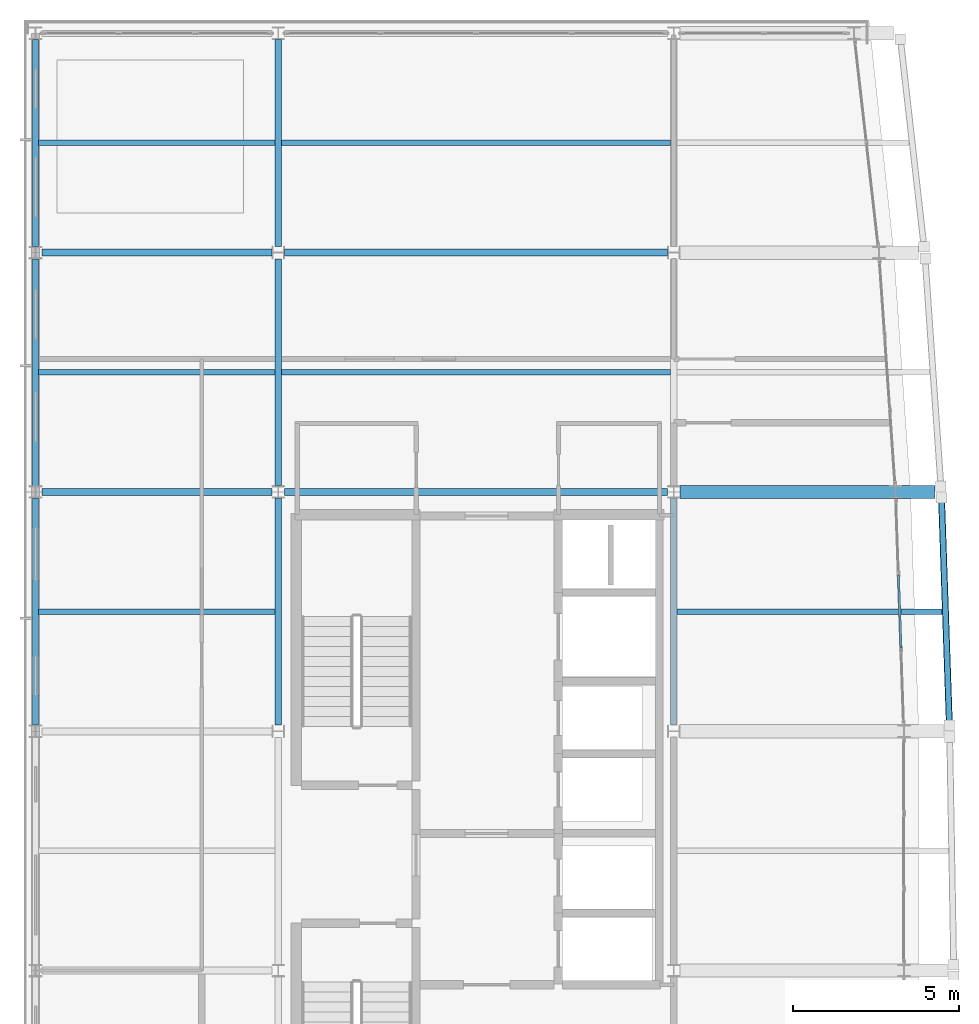
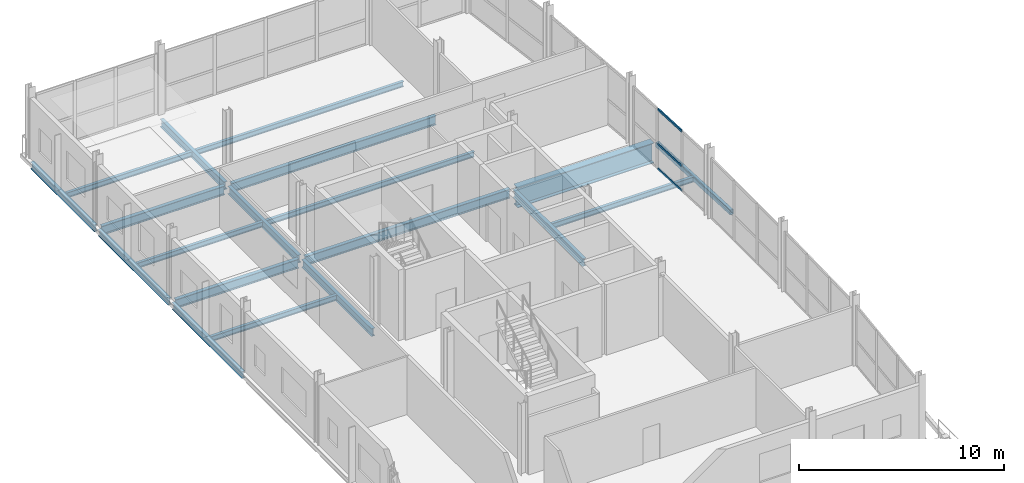
# One storey, part 7 of 19: 19 beams, 3 members, 1 element without a shape of its own.
"""IFC4 building model written with IfcOpenShell, lengths in metres."""

from ifc_helpers import new_model, si_unit, direction, frame, origin, origin_2d, place, context, subcontext, project, spatial, hollow_rectangle, i_section, extrude, material, layer, layer_set, material_profile, profile_set, type_object, element, aggregate, save


model = new_model("IFC4")

# Units and contexts
model_context = context("Model", 3, precision=1e-05, world=origin(), true_north=direction((0.0, 1.0)))
body_context = subcontext(model_context, "Body", "Model", "MODEL_VIEW")
ifc_project = project(units=[si_unit("LENGTHUNIT", "METRE"), si_unit("AREAUNIT", "SQUARE_METRE"), si_unit("VOLUMEUNIT", "CUBIC_METRE"), si_unit("PLANEANGLEUNIT", "RADIAN"), si_unit("MASSUNIT", "GRAM", prefix="KILO")], contexts=[model_context])

# Site, building, storey
site_placement = place(None, origin())
site = spatial("IfcSite", under=ifc_project, at=site_placement, CompositionType="ELEMENT")
building_placement = place(site_placement, origin())
building = spatial("IfcBuilding", under=site, at=building_placement, Name="Quillay Park Conservatory", CompositionType="ELEMENT")
storey_placement = place(building_placement, frame((0.0, 0.0, 35.10009765625)))
storey = spatial("IfcBuildingStorey", under=building, at=storey_placement, Name="L08", CompositionType="ELEMENT", Elevation=35.10009765625)

# Beams
ifc_material_1 = material(Name="Steel ASTM A992 Grade 50", Category="steel")
ifc_material_profile_1 = material_profile(ifc_material_1, i_section(OverallWidth=0.166015625, OverallDepth=0.31298828125, WebThickness=0.006591796875, FlangeThickness=0.01123046875, FilletRadius=0.010009765625, at=origin_2d()), Name="W310x45")
ifc_profile_set_1 = profile_set([ifc_material_profile_1], Name="Steel ASTM A992 Grade 50")
beam_type_1 = type_object("IfcBeamType", Name="COMPOSITE FLOOR JOIST W310 X45", PredefinedType="JOIST", material=ifc_profile_set_1)
beam_1_placement = place(storey_placement, frame((0.639892578125, 96.0, -0.37158203125), z_axis=(1.0, 0.0, 0.0), x_axis=(0.0, 1.0, 0.0)))
element("IfcBeam", 1, at=beam_1_placement, inside=storey, type_object=beam_type_1, Name="L08 beam BM-J-0636", PredefinedType="JOIST", context=body_context, shape_type="SweptSolid", body=[
    extrude(i_section(OverallWidth=0.166015625, OverallDepth=0.31298828125, WebThickness=0.006591796875, FlangeThickness=0.01123046875, FilletRadius=0.010009765625, at=origin_2d()), origin(), (0.0, 0.0, 1.0), 7.114013671875),
])
beam_2_placement = place(storey_placement, frame((19.845947265625, 96.0, -0.37158203125), z_axis=(1.0, 0.0, 0.0), x_axis=(0.0, 1.0, 0.0)))
element("IfcBeam", 2, at=beam_2_placement, inside=storey, type_object=beam_type_1, Name="L08 beam BM-J-0637", PredefinedType="JOIST", context=body_context, shape_type="SweptSolid", body=[
    extrude(i_section(OverallWidth=0.166015625, OverallDepth=0.31298828125, WebThickness=0.006591796875, FlangeThickness=0.01123046875, FilletRadius=0.010009765625, at=origin_2d()), origin(), (0.0, 0.0, 1.0), 7.97900390625),
])
beam_3_placement = place(storey_placement, frame((0.639892578125, 103.199951171875, -0.37158203125), z_axis=(1.0, 0.0, 0.0), x_axis=(0.0, 1.0, 0.0)))
element("IfcBeam", 3, at=beam_3_placement, inside=storey, type_object=beam_type_1, Name="L08 beam BM-J-0642", PredefinedType="JOIST", context=body_context, shape_type="SweptSolid", body=[
    extrude(i_section(OverallWidth=0.166015625, OverallDepth=0.31298828125, WebThickness=0.006591796875, FlangeThickness=0.01123046875, FilletRadius=0.010009765625, at=origin_2d()), origin(), (0.0, 0.0, 1.0), 7.114013671875),
])
beam_4_placement = place(storey_placement, frame((7.946044921875, 103.199951171875, -0.37158203125), z_axis=(1.0, 0.0, 0.0), x_axis=(0.0, 1.0, 0.0)))
element("IfcBeam", 4, at=beam_4_placement, inside=storey, type_object=beam_type_1, Name="L08 beam BM-J-0644", PredefinedType="JOIST", context=body_context, shape_type="SweptSolid", body=[
    extrude(i_section(OverallWidth=0.166015625, OverallDepth=0.31298828125, WebThickness=0.006591796875, FlangeThickness=0.01123046875, FilletRadius=0.010009765625, at=origin_2d()), origin(), (0.0, 0.0, 1.0), 11.7080078125),
])
beam_5_placement = place(storey_placement, frame((0.639892578125, 110.10009765625, -0.37158203125), z_axis=(1.0, 0.0, 0.0), x_axis=(0.0, 1.0, 0.0)))
element("IfcBeam", 5, at=beam_5_placement, inside=storey, type_object=beam_type_1, Name="L08 beam BM-J-0649", PredefinedType="JOIST", context=body_context, shape_type="SweptSolid", body=[
    extrude(i_section(OverallWidth=0.166015625, OverallDepth=0.31298828125, WebThickness=0.006591796875, FlangeThickness=0.01123046875, FilletRadius=0.010009765625, at=origin_2d()), origin(), (0.0, 0.0, 1.0), 7.114013671875),
])
beam_6_placement = place(storey_placement, frame((7.946044921875, 110.10009765625, -0.37158203125), z_axis=(1.0, 0.0, 0.0), x_axis=(0.0, 1.0, 0.0)))
element("IfcBeam", 6, at=beam_6_placement, inside=storey, type_object=beam_type_1, Name="L08 beam BM-J-0651", PredefinedType="JOIST", context=body_context, shape_type="SweptSolid", body=[
    extrude(i_section(OverallWidth=0.166015625, OverallDepth=0.31298828125, WebThickness=0.006591796875, FlangeThickness=0.01123046875, FilletRadius=0.010009765625, at=origin_2d()), origin(), (0.0, 0.0, 1.0), 11.7080078125),
])

# Curtain wall, members
ifc_material_2 = material(Name="Thermally Broken Anodised Aluminium 6063-T6", Category="aluminium")
ifc_layer = layer(ifc_material_2, 0.179931640625)
ifc_layer_set = layer_set([ifc_layer], Name="UNITISED CURTAIN WALL TOWER (Thermally Broken Anodised Aluminium 6063-T6)")
curtain_wall_type = type_object("IfcCurtainWallType", Name="UNITISED CURTAIN WALL TOWER", PredefinedType="USERDEFINED", material=ifc_layer_set)
curtain_wall_placement = place(storey_placement, origin())
curtain_wall = element("IfcCurtainWall", 7, at=curtain_wall_placement, inside=storey, type_object=curtain_wall_type, Name="L08 Unitised Curtain Wall 081", ObjectType="UNITISED CURTAIN WALL", PredefinedType="USERDEFINED")
ifc_material_3 = material(Name="Thermally Broken Anodised Aluminium 6063-T6", Category="aluminium")
ifc_material_profile_2 = material_profile(ifc_material_3, hollow_rectangle(XDim=0.070068359375, YDim=0.1298828125, WallThickness=0.003173828125, at=origin_2d()), Name="AL70x130x3.2")
ifc_profile_set_2 = profile_set([ifc_material_profile_2], Name="Thermally Broken Anodised Aluminium 6063-T6")
member_type = type_object("IfcMemberType", Name="CURTAIN WALL TRANSOM 70 X130", PredefinedType="USERDEFINED", material=ifc_profile_set_2)
member_1_placement = place(storey_placement, frame((26.511962890625, 97.098388671875, 0.034912109375), z_axis=(0.034653546152, -0.999399385501, 0.0), x_axis=(0.999399385501, 0.034653546152, 0.0)))
member_1 = element("IfcMember", 8, at=member_1_placement, type_object=member_type, Name="CW-T1 transom 2.1", ObjectType="TRANSOM", PredefinedType="USERDEFINED", context=body_context, shape_type="SweptSolid", body=[
    extrude(hollow_rectangle(XDim=0.070068359375, YDim=0.1298828125, WallThickness=0.003173828125, at=origin_2d()), origin(), (0.0, 0.0, 1.0), 2.197998046875),
])
member_2_placement = place(storey_placement, frame((26.511962890625, 97.098388671875, 1.511474609375), z_axis=(0.034653546152, -0.999399385501, 0.0), x_axis=(0.999399385501, 0.034653546152, 0.0)))
member_2 = element("IfcMember", 9, at=member_2_placement, type_object=member_type, Name="CW-T1 transom 2.2", ObjectType="TRANSOM", PredefinedType="USERDEFINED", context=body_context, shape_type="SweptSolid", body=[
    extrude(hollow_rectangle(XDim=0.070068359375, YDim=0.1298828125, WallThickness=0.003173828125, at=origin_2d()), origin(), (0.0, 0.0, 1.0), 2.197998046875),
])
member_3_placement = place(storey_placement, frame((26.511962890625, 97.098388671875, 3.56396484375), z_axis=(0.034653546152, -0.999399385501, 0.0), x_axis=(0.999399385501, 0.034653546152, 0.0)))
member_3 = element("IfcMember", 10, at=member_3_placement, type_object=member_type, Name="CW-T1 transom 2.3", ObjectType="TRANSOM", PredefinedType="USERDEFINED", context=body_context, shape_type="SweptSolid", body=[
    extrude(hollow_rectangle(XDim=0.070068359375, YDim=0.1298828125, WallThickness=0.003173828125, at=origin_2d()), origin(), (0.0, 0.0, 1.0), 2.197998046875),
])
aggregate(curtain_wall, [member_1, member_2, member_3])

# Beams
ifc_material_4 = material(Name="Steel S355J2H", Category="steel")
ifc_material_profile_3 = material_profile(ifc_material_4, hollow_rectangle(XDim=0.199951171875, YDim=0.300048828125, WallThickness=0.012451171875, InnerFilletRadius=0.012451171875, OuterFilletRadius=0.02490234375, at=origin_2d()), Name="RHS300x200x12.5")
ifc_profile_set_3 = profile_set([ifc_material_profile_3], Name="Steel S355J2H")
beam_type_2 = type_object("IfcBeamType", Name="PERIMETER SPANDREL BEAM RHS300", PredefinedType="SPANDREL", material=ifc_profile_set_3)
beam_7_placement = place(storey_placement, frame((28.04345703125, 92.5859375, -0.364990234375), z_axis=(-0.034697344385, 0.999397865864, 0.0), x_axis=(-0.999397865864, -0.034697344385, 0.0)))
element("IfcBeam", 11, at=beam_7_placement, inside=storey, type_object=beam_type_2, Name="L08 beam BM-SPE-0633", PredefinedType="SPANDREL", context=body_context, shape_type="SweptSolid", body=[
    extrude(hollow_rectangle(XDim=0.199951171875, YDim=0.300048828125, WallThickness=0.012451171875, InnerFilletRadius=0.012451171875, OuterFilletRadius=0.02490234375, at=origin_2d()), origin(), (0.0, 0.0, 1.0), 6.832275390625),
])
ifc_material_5 = material(Name="Steel ASTM A992 Grade 50", Category="steel")
ifc_material_profile_4 = material_profile(ifc_material_5, i_section(OverallWidth=0.179931640625, OverallDepth=0.4130859375, WebThickness=0.009765625, FlangeThickness=0.01611328125, FilletRadius=0.011962890625, at=origin_2d()), Name="W410x74")
ifc_profile_set_4 = profile_set([ifc_material_profile_4], Name="Steel ASTM A992 Grade 50")
beam_type_3 = type_object("IfcBeamType", Name="PERIMETER SPANDREL BEAM W410 X74", PredefinedType="SPANDREL", material=ifc_profile_set_4)
for number, where, z_axis, x_axis, name in (
    (12, (0.550048828125, 92.5859375, -0.421630859375), (0.0, 1.0, 0.0), (-1.0, 0.0, 0.0), "L08 beam BM-SPW-0632"),
    (13, (0.550048828125, 99.785888671875, -0.421630859375), (0.0, 1.0, 0.0), (-1.0, 0.0, 0.0), "L08 beam BM-SPW-0638"),
):
    element("IfcBeam", number, at=place(storey_placement, frame(where, z_axis=z_axis, x_axis=x_axis)), inside=storey, type_object=beam_type_3, Name=name, PredefinedType="SPANDREL", context=body_context, shape_type="SweptSolid", body=[
        extrude(i_section(OverallWidth=0.179931640625, OverallDepth=0.4130859375, WebThickness=0.009765625, FlangeThickness=0.01611328125, FilletRadius=0.011962890625, at=origin_2d()), origin(), (0.0, 0.0, 1.0), 6.828125),
    ])
beam_8_placement = place(storey_placement, frame((0.550048828125, 106.986083984375, -0.421630859375), z_axis=(0.0, 1.0, 0.0), x_axis=(-1.0, 0.0, 0.0)))
element("IfcBeam", 14, at=beam_8_placement, inside=storey, type_object=beam_type_3, Name="L08 beam BM-SPW-0645", PredefinedType="SPANDREL", context=body_context, shape_type="SweptSolid", body=[
    extrude(i_section(OverallWidth=0.179931640625, OverallDepth=0.4130859375, WebThickness=0.009765625, FlangeThickness=0.01611328125, FilletRadius=0.011962890625, at=origin_2d()), origin(), (0.0, 0.0, 1.0), 6.22802734375),
])
ifc_material_6 = material(Name="Steel ASTM A992 Grade 50", Category="steel")
ifc_material_profile_5 = material_profile(ifc_material_6, i_section(OverallWidth=0.19189453125, OverallDepth=0.462890625, WebThickness=0.010498046875, FlangeThickness=0.017578125, FilletRadius=0.012939453125, at=origin_2d()), Name="W460x89")
ifc_profile_set_5 = profile_set([ifc_material_profile_5], Name="Steel ASTM A992 Grade 50")
beam_type_4 = type_object("IfcBeamType", Name="PRIMARY FLOOR GIRDER W460 X89", PredefinedType="BEAM", material=ifc_profile_set_5)
for number, where, z_axis, x_axis, name in (
    (15, (7.85009765625, 92.5859375, -0.446533203125), (0.0, 1.0, 0.0), (-1.0, 0.0, 0.0), "L08 beam BM-GNS-0634"),
    (16, (19.75, 92.5859375, -0.446533203125), (0.0, 1.0, 0.0), (-1.0, 0.0, 0.0), "L08 beam BM-GNS-0635"),
):
    element("IfcBeam", number, at=place(storey_placement, frame(where, z_axis=z_axis, x_axis=x_axis)), inside=storey, type_object=beam_type_4, Name=name, PredefinedType="BEAM", context=body_context, shape_type="SweptSolid", body=[
        extrude(i_section(OverallWidth=0.19189453125, OverallDepth=0.462890625, WebThickness=0.010498046875, FlangeThickness=0.017578125, FilletRadius=0.012939453125, at=origin_2d()), origin(), (0.0, 0.0, 1.0), 6.8271484375),
    ])
beam_9_placement = place(storey_placement, frame((7.85009765625, 99.787109375, -0.446533203125), z_axis=(0.0, 1.0, 0.0), x_axis=(-1.0, 0.0, 0.0)))
element("IfcBeam", 17, at=beam_9_placement, inside=storey, type_object=beam_type_4, Name="L08 beam BM-GNS-0640", PredefinedType="BEAM", context=body_context, shape_type="SweptSolid", body=[
    extrude(i_section(OverallWidth=0.19189453125, OverallDepth=0.462890625, WebThickness=0.010498046875, FlangeThickness=0.017578125, FilletRadius=0.012939453125, at=origin_2d()), origin(), (0.0, 0.0, 1.0), 6.826904296875),
])
beam_10_placement = place(storey_placement, frame((7.85009765625, 106.986083984375, -0.446533203125), z_axis=(0.0, 1.0, 0.0), x_axis=(-1.0, 0.0, 0.0)))
element("IfcBeam", 18, at=beam_10_placement, inside=storey, type_object=beam_type_4, Name="L08 beam BM-GNS-0647", PredefinedType="BEAM", context=body_context, shape_type="SweptSolid", body=[
    extrude(i_section(OverallWidth=0.19189453125, OverallDepth=0.462890625, WebThickness=0.010498046875, FlangeThickness=0.017578125, FilletRadius=0.012939453125, at=origin_2d()), origin(), (0.0, 0.0, 1.0), 6.226806640625),
])
ifc_material_7 = material(Name="Steel ASTM A992 Grade 50", Category="steel")
ifc_material_profile_6 = material_profile(ifc_material_7, i_section(OverallWidth=0.2109375, OverallDepth=0.5390625, WebThickness=0.01171875, FlangeThickness=0.018798828125, FilletRadius=0.013916015625, at=origin_2d()), Name="W530x109")
ifc_profile_set_6 = profile_set([ifc_material_profile_6], Name="Steel ASTM A992 Grade 50")
beam_type_5 = type_object("IfcBeamType", Name="PRIMARY FLOOR GIRDER W530 X109", PredefinedType="BEAM", material=ifc_profile_set_6)
beam_11_placement = place(storey_placement, frame((0.737060546875, 99.60009765625, -0.484619140625), z_axis=(1.0, 0.0, 0.0), x_axis=(0.0, 1.0, 0.0)))
element("IfcBeam", 19, at=beam_11_placement, inside=storey, type_object=beam_type_5, Name="L08 beam BM-G-0597", PredefinedType="BEAM", context=body_context, shape_type="SweptSolid", body=[
    extrude(i_section(OverallWidth=0.2109375, OverallDepth=0.5390625, WebThickness=0.01171875, FlangeThickness=0.018798828125, FilletRadius=0.013916015625, at=origin_2d()), origin(), (0.0, 0.0, 1.0), 6.927001953125),
])
beam_12_placement = place(storey_placement, frame((8.035888671875, 99.60009765625, -0.484619140625), z_axis=(1.0, 0.0, 0.0), x_axis=(0.0, 1.0, 0.0)))
element("IfcBeam", 20, at=beam_12_placement, inside=storey, type_object=beam_type_5, Name="L08 beam BM-G-0598", PredefinedType="BEAM", context=body_context, shape_type="SweptSolid", body=[
    extrude(i_section(OverallWidth=0.2109375, OverallDepth=0.5390625, WebThickness=0.01171875, FlangeThickness=0.018798828125, FilletRadius=0.013916015625, at=origin_2d()), origin(), (0.0, 0.0, 1.0), 11.528076171875),
])
beam_13_placement = place(storey_placement, frame((0.737060546875, 106.800048828125, -0.484619140625), z_axis=(1.0, 0.0, 0.0), x_axis=(0.0, 1.0, 0.0)))
element("IfcBeam", 21, at=beam_13_placement, inside=storey, type_object=beam_type_5, Name="L08 beam BM-G-0600", PredefinedType="BEAM", context=body_context, shape_type="SweptSolid", body=[
    extrude(i_section(OverallWidth=0.2109375, OverallDepth=0.5390625, WebThickness=0.01171875, FlangeThickness=0.018798828125, FilletRadius=0.013916015625, at=origin_2d()), origin(), (0.0, 0.0, 1.0), 6.926025390625),
])
beam_14_placement = place(storey_placement, frame((8.037109375, 106.800048828125, -0.484619140625), z_axis=(1.0, 0.0, 0.0), x_axis=(0.0, 1.0, 0.0)))
element("IfcBeam", 22, at=beam_14_placement, inside=storey, type_object=beam_type_5, Name="L08 beam BM-G-0601", PredefinedType="BEAM", context=body_context, shape_type="SweptSolid", body=[
    extrude(i_section(OverallWidth=0.2109375, OverallDepth=0.5390625, WebThickness=0.01171875, FlangeThickness=0.018798828125, FilletRadius=0.013916015625, at=origin_2d()), origin(), (0.0, 0.0, 1.0), 11.52587890625),
])
ifc_material_8 = material(Name="Steel ASTM A572 Grade 50", Category="steel")
ifc_material_profile_7 = material_profile(ifc_material_8, i_section(OverallWidth=0.39990234375, OverallDepth=1.199951171875, WebThickness=0.02001953125, FlangeThickness=0.0380859375, at=origin_2d()), Name="IG1200x400")
ifc_profile_set_7 = profile_set([ifc_material_profile_7], Name="Steel ASTM A572 Grade 50")
beam_type_6 = type_object("IfcBeamType", Name="TRANSFER PLATE GIRDER IG1200", PredefinedType="USERDEFINED", material=ifc_profile_set_7)
beam_15_placement = place(storey_placement, frame((19.93603515625, 99.60009765625, -0.815185546875), z_axis=(1.0, 0.0, 0.0), x_axis=(0.0, 1.0, 0.0)))
element("IfcBeam", 23, at=beam_15_placement, inside=storey, type_object=beam_type_6, Name="L08 beam BM-TG2-0599", ObjectType="TRANSFER PLATE GIRDER", PredefinedType="USERDEFINED", context=body_context, shape_type="SweptSolid", body=[
    extrude(i_section(OverallWidth=0.39990234375, OverallDepth=1.199951171875, WebThickness=0.02001953125, FlangeThickness=0.0380859375, at=origin_2d()), origin(), (0.0, 0.0, 1.0), 7.677001953125),
])

save(model, "model.ifc")
